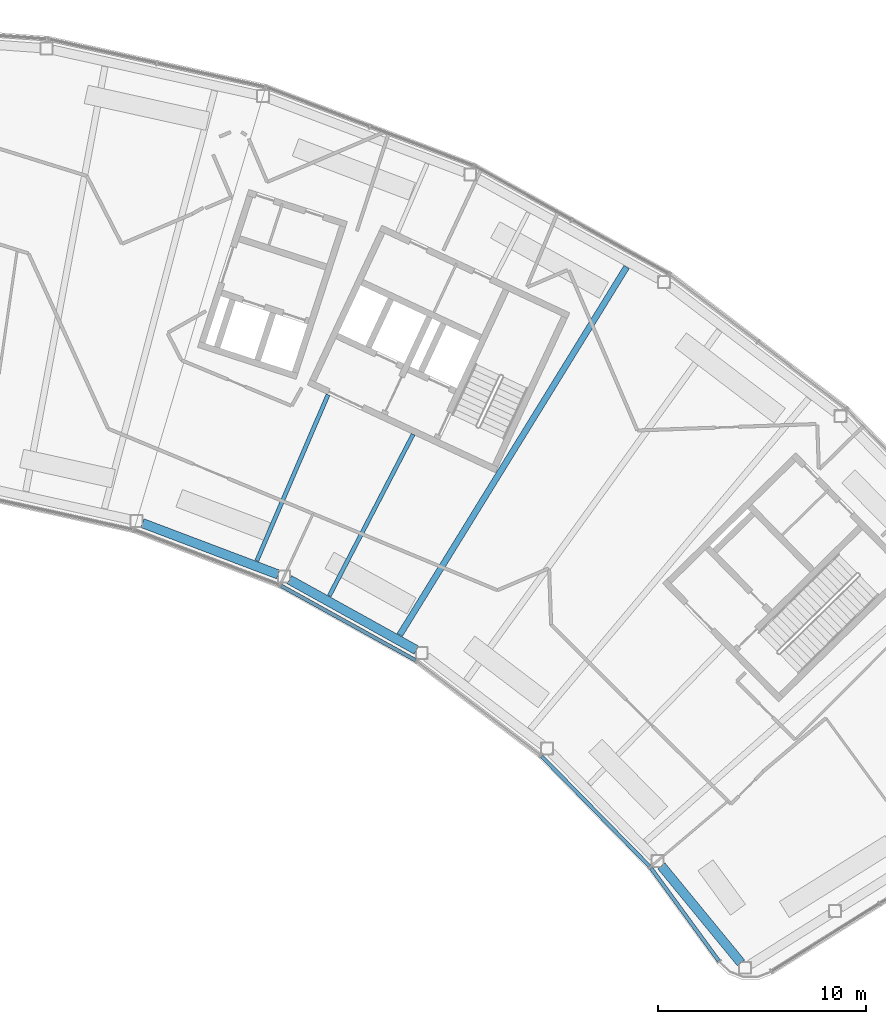
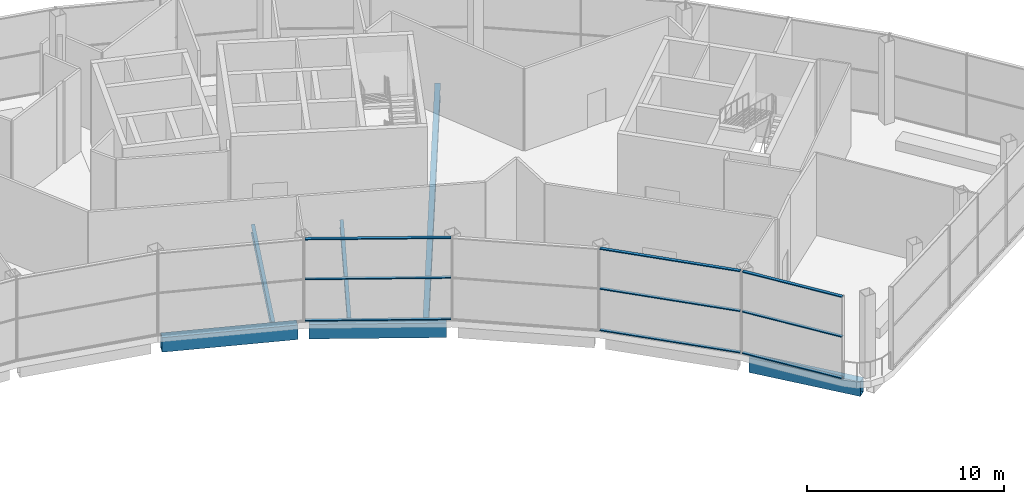
# One storey, part 21 of 43: 9 members, 6 beams, 3 elements without a shape of their own.
"""IFC4 building model written with IfcOpenShell, lengths in metres."""

from ifc_helpers import new_model, si_unit, direction, frame, origin, origin_2d, place, context, subcontext, project, spatial, hollow_rectangle, i_section, extrude, material, layer, layer_set, material_profile, profile_set, type_object, element, aggregate, save


model = new_model("IFC4")

# Units and contexts
model_context = context("Model", 3, precision=1e-05, world=origin(), true_north=direction((0.0, 1.0)))
body_context = subcontext(model_context, "Body", "Model", "MODEL_VIEW")
ifc_project = project(units=[si_unit("LENGTHUNIT", "METRE"), si_unit("AREAUNIT", "SQUARE_METRE"), si_unit("VOLUMEUNIT", "CUBIC_METRE"), si_unit("PLANEANGLEUNIT", "RADIAN"), si_unit("MASSUNIT", "GRAM", prefix="KILO")], contexts=[model_context])

# Site, building, storey
site_placement = place(None, origin())
site = spatial("IfcSite", under=ifc_project, at=site_placement, CompositionType="ELEMENT")
building_placement = place(site_placement, origin())
building = spatial("IfcBuilding", under=site, at=building_placement, Name="Tuul Gate Civic Tower", CompositionType="ELEMENT")
storey_placement = place(building_placement, frame((0.0, 0.0, 349.10009765625)))
storey = spatial("IfcBuildingStorey", under=building, at=storey_placement, Name="Observation level 1", CompositionType="ELEMENT", Elevation=349.10009765625)

# Curtain wall, members
ifc_material_1 = material(Name="Stainless steel", Category="steel")
ifc_layer = layer(ifc_material_1, 0.199951171875)
ifc_layer_set = layer_set([ifc_layer], Name="Stainless steel")
curtain_wall_type = type_object("IfcCurtainWallType", Name="Curtain wall CW4", PredefinedType="NOTDEFINED", material=ifc_layer_set)
curtain_wall_1_placement = place(storey_placement, origin())
curtain_wall_1 = element("IfcCurtainWall", 1, at=curtain_wall_1_placement, inside=storey, type_object=curtain_wall_type, Name="Curtain wall CW4", PredefinedType="NOTDEFINED")
ifc_material_2 = material(Name="Stainless steel", Category="steel")
ifc_material_profile_1 = material_profile(ifc_material_2, hollow_rectangle(XDim=0.179931640625, YDim=0.06005859375, WallThickness=0.006103515625, at=origin_2d()), Name="CW4 transom")
ifc_profile_set_1 = profile_set([ifc_material_profile_1], Name="Stainless steel")
member_type = type_object("IfcMemberType", Name="CW4 transom", PredefinedType="USERDEFINED", material=ifc_profile_set_1)
member_1_placement = place(storey_placement, frame((24.141357421875, -12.833984375, 0.02978515625), z_axis=(0.874627962586, -0.484794726727, 0.0), x_axis=(0.484794726727, 0.874627962586, 0.0)))
member_1 = element("IfcMember", 2, at=member_1_placement, type_object=member_type, Name="Transom", ObjectType="TRANSOM", PredefinedType="USERDEFINED", context=body_context, shape_type="SweptSolid", body=[
    extrude(hollow_rectangle(XDim=0.179931640625, YDim=0.06005859375, WallThickness=0.006103515625, at=origin_2d()), origin(), (0.0, 0.0, 1.0), 7.406982421875),
])
member_2_placement = place(storey_placement, frame((24.141357421875, -12.833984375, 2.599853515625), z_axis=(0.874627962586, -0.484794726727, 0.0), x_axis=(0.484794726727, 0.874627962586, 0.0)))
member_2 = element("IfcMember", 3, at=member_2_placement, type_object=member_type, Name="Transom", ObjectType="TRANSOM", PredefinedType="USERDEFINED", context=body_context, shape_type="SweptSolid", body=[
    extrude(hollow_rectangle(XDim=0.179931640625, YDim=0.06005859375, WallThickness=0.006103515625, at=origin_2d()), origin(), (0.0, 0.0, 1.0), 7.406982421875),
])
member_3_placement = place(storey_placement, frame((24.141357421875, -12.833984375, 5.06982421875), z_axis=(0.874627962586, -0.484794726727, 0.0), x_axis=(0.484794726727, 0.874627962586, 0.0)))
member_3 = element("IfcMember", 4, at=member_3_placement, type_object=member_type, Name="Transom", ObjectType="TRANSOM", PredefinedType="USERDEFINED", context=body_context, shape_type="SweptSolid", body=[
    extrude(hollow_rectangle(XDim=0.179931640625, YDim=0.06005859375, WallThickness=0.006103515625, at=origin_2d()), origin(), (0.0, 0.0, 1.0), 7.406982421875),
])
aggregate(curtain_wall_1, [member_1, member_2, member_3])

curtain_wall_2_placement = place(storey_placement, origin())
curtain_wall_2 = element("IfcCurtainWall", 5, at=curtain_wall_2_placement, inside=storey, type_object=curtain_wall_type, Name="Curtain wall CW4", PredefinedType="NOTDEFINED")
member_4_placement = place(storey_placement, frame((36.701904296875, -21.056884765625, 0.02978515625), z_axis=(0.700100413437, -0.714044404155, 0.0), x_axis=(0.714044404155, 0.700100413437, 0.0)))
member_4 = element("IfcMember", 6, at=member_4_placement, type_object=member_type, Name="Transom", ObjectType="TRANSOM", PredefinedType="USERDEFINED", context=body_context, shape_type="SweptSolid", body=[
    extrude(hollow_rectangle(XDim=0.179931640625, YDim=0.06005859375, WallThickness=0.006103515625, at=origin_2d()), origin(), (0.0, 0.0, 1.0), 7.40625),
])
member_5_placement = place(storey_placement, frame((36.701904296875, -21.056884765625, 2.599853515625), z_axis=(0.700100413437, -0.714044404155, 0.0), x_axis=(0.714044404155, 0.700100413437, 0.0)))
member_5 = element("IfcMember", 7, at=member_5_placement, type_object=member_type, Name="Transom", ObjectType="TRANSOM", PredefinedType="USERDEFINED", context=body_context, shape_type="SweptSolid", body=[
    extrude(hollow_rectangle(XDim=0.179931640625, YDim=0.06005859375, WallThickness=0.006103515625, at=origin_2d()), origin(), (0.0, 0.0, 1.0), 7.40625),
])
member_6_placement = place(storey_placement, frame((36.701904296875, -21.056884765625, 5.06982421875), z_axis=(0.700100413437, -0.714044404155, 0.0), x_axis=(0.714044404155, 0.700100413437, 0.0)))
member_6 = element("IfcMember", 8, at=member_6_placement, type_object=member_type, Name="Transom", ObjectType="TRANSOM", PredefinedType="USERDEFINED", context=body_context, shape_type="SweptSolid", body=[
    extrude(hollow_rectangle(XDim=0.179931640625, YDim=0.06005859375, WallThickness=0.006103515625, at=origin_2d()), origin(), (0.0, 0.0, 1.0), 7.40625),
])
aggregate(curtain_wall_2, [member_4, member_5, member_6])

curtain_wall_3_placement = place(storey_placement, origin())
curtain_wall_3 = element("IfcCurtainWall", 9, at=curtain_wall_3_placement, inside=storey, type_object=curtain_wall_type, Name="Curtain wall CW4", PredefinedType="NOTDEFINED")
member_7_placement = place(storey_placement, frame((41.96435546875, -26.4365234375, 0.02978515625), z_axis=(0.589738969, -0.807593925462, 0.0), x_axis=(0.807593925462, 0.589738969, 0.0)))
member_7 = element("IfcMember", 10, at=member_7_placement, type_object=member_type, Name="Transom", ObjectType="TRANSOM", PredefinedType="USERDEFINED", context=body_context, shape_type="SweptSolid", body=[
    extrude(hollow_rectangle(XDim=0.179931640625, YDim=0.06005859375, WallThickness=0.006103515625, at=origin_2d()), origin(), (0.0, 0.0, 1.0), 5.534912109375),
])
member_8_placement = place(storey_placement, frame((41.96435546875, -26.4365234375, 2.599853515625), z_axis=(0.589738969, -0.807593925462, 0.0), x_axis=(0.807593925462, 0.589738969, 0.0)))
member_8 = element("IfcMember", 11, at=member_8_placement, type_object=member_type, Name="Transom", ObjectType="TRANSOM", PredefinedType="USERDEFINED", context=body_context, shape_type="SweptSolid", body=[
    extrude(hollow_rectangle(XDim=0.179931640625, YDim=0.06005859375, WallThickness=0.006103515625, at=origin_2d()), origin(), (0.0, 0.0, 1.0), 5.534912109375),
])
member_9_placement = place(storey_placement, frame((41.96435546875, -26.4365234375, 5.06982421875), z_axis=(0.589738969, -0.807593925462, 0.0), x_axis=(0.807593925462, 0.589738969, 0.0)))
member_9 = element("IfcMember", 12, at=member_9_placement, type_object=member_type, Name="Transom", ObjectType="TRANSOM", PredefinedType="USERDEFINED", context=body_context, shape_type="SweptSolid", body=[
    extrude(hollow_rectangle(XDim=0.179931640625, YDim=0.06005859375, WallThickness=0.006103515625, at=origin_2d()), origin(), (0.0, 0.0, 1.0), 5.534912109375),
])
aggregate(curtain_wall_3, [member_7, member_8, member_9])

# Beams
ifc_material_3 = material(Name="Steel S355", Category="steel")
ifc_material_profile_2 = material_profile(ifc_material_3, i_section(OverallWidth=0.199951171875, OverallDepth=0.5, WebThickness=0.010009765625, FlangeThickness=0.01611328125, at=origin_2d()), Name="PG500x200x10x16")
ifc_profile_set_2 = profile_set([ifc_material_profile_2], Name="Steel S355")
beam_type_1 = type_object("IfcBeamType", Name="STR-FLOOR BEAM-PG500x200x10x16", PredefinedType="BEAM", material=ifc_profile_set_2)
beam_1_placement = place(storey_placement, frame((26.463134765625, -13.32080078125, -0.650146484375), z_axis=(0.460782795667, 0.887512938056, 0.0), x_axis=(-0.887512938056, 0.460782795667, 0.0)))
element("IfcBeam", 13, at=beam_1_placement, inside=storey, type_object=beam_type_1, Name="Floor beam", PredefinedType="BEAM", context=body_context, shape_type="SweptSolid", body=[
    extrude(i_section(OverallWidth=0.199951171875, OverallDepth=0.5, WebThickness=0.010009765625, FlangeThickness=0.01611328125, at=origin_2d()), origin(), (0.0, 0.0, 1.0), 8.768310546875),
])
beam_2_placement = place(storey_placement, frame((22.968505859375, -11.633056640625, -0.650146484375), z_axis=(0.394179708817, 0.91903338196, 0.0), x_axis=(-0.91903338196, 0.394179708817, 0.0)))
element("IfcBeam", 14, at=beam_2_placement, inside=storey, type_object=beam_type_1, Name="Floor beam", PredefinedType="BEAM", context=body_context, shape_type="SweptSolid", body=[
    extrude(i_section(OverallWidth=0.199951171875, OverallDepth=0.5, WebThickness=0.010009765625, FlangeThickness=0.01611328125, at=origin_2d()), origin(), (0.0, 0.0, 1.0), 8.7119140625),
])
ifc_material_4 = material(Name="Steel S355", Category="steel")
ifc_material_profile_3 = material_profile(ifc_material_4, i_section(OverallWidth=0.300048828125, OverallDepth=0.800048828125, WebThickness=0.013916015625, FlangeThickness=0.02490234375, at=origin_2d()), Name="PG800x300x14x25")
ifc_profile_set_3 = profile_set([ifc_material_profile_3], Name="Steel S355")
beam_type_2 = type_object("IfcBeamType", Name="STR-FLOOR BEAM-PG800x300x14x25", PredefinedType="BEAM", material=ifc_profile_set_3)
beam_3_placement = place(storey_placement, frame((29.858154296875, -15.2021484375, -0.800048828125), z_axis=(0.524846935925, 0.85119662467, 0.0), x_axis=(-0.85119662467, 0.524846935925, 0.0)))
element("IfcBeam", 15, at=beam_3_placement, inside=storey, type_object=beam_type_2, Name="Floor beam", PredefinedType="BEAM", context=body_context, shape_type="SweptSolid", body=[
    extrude(i_section(OverallWidth=0.300048828125, OverallDepth=0.800048828125, WebThickness=0.013916015625, FlangeThickness=0.02490234375, at=origin_2d()), origin(), (0.0, 0.0, 1.0), 20.82177734375),
])
ifc_material_5 = material(Name="Steel S355", Category="steel")
ifc_material_profile_4 = material_profile(ifc_material_5, hollow_rectangle(XDim=0.449951171875, YDim=0.89990234375, WallThickness=0.02490234375, at=origin_2d()), Name="BOX900x450x25")
ifc_profile_set_4 = profile_set([ifc_material_profile_4], Name="Steel S355")
beam_type_3 = type_object("IfcBeamType", Name="STR-SPANDREL BEAM-BOX900x450x25", PredefinedType="BEAM", material=ifc_profile_set_4)
beam_4_placement = place(storey_placement, frame((17.45849609375, -9.816162109375, -0.85009765625), z_axis=(0.93532810698, -0.35378147534, 0.0), x_axis=(0.35378147534, 0.93532810698, 0.0)))
element("IfcBeam", 16, at=beam_4_placement, inside=storey, type_object=beam_type_3, Name="Spandrel beam", PredefinedType="BEAM", context=body_context, shape_type="SweptSolid", body=[
    extrude(hollow_rectangle(XDim=0.449951171875, YDim=0.89990234375, WallThickness=0.02490234375, at=origin_2d()), origin(), (0.0, 0.0, 1.0), 6.991943359375),
])
beam_5_placement = place(storey_placement, frame((24.54150390625, -12.54150390625, -0.85009765625), z_axis=(0.874646044716, -0.484762102956, 0.0), x_axis=(0.484762102956, 0.874646044716, 0.0)))
element("IfcBeam", 17, at=beam_5_placement, inside=storey, type_object=beam_type_3, Name="Spandrel beam", PredefinedType="BEAM", context=body_context, shape_type="SweptSolid", body=[
    extrude(hollow_rectangle(XDim=0.449951171875, YDim=0.89990234375, WallThickness=0.02490234375, at=origin_2d()), origin(), (0.0, 0.0, 1.0), 6.991455078125),
])
beam_6_placement = place(storey_placement, frame((42.46337890625, -26.328857421875, -0.85009765625), z_axis=(0.63439697252, -0.773007426392, 0.0), x_axis=(0.773007426392, 0.63439697252, 0.0)))
element("IfcBeam", 18, at=beam_6_placement, inside=storey, type_object=beam_type_3, Name="Spandrel beam", PredefinedType="BEAM", context=body_context, shape_type="SweptSolid", body=[
    extrude(hollow_rectangle(XDim=0.449951171875, YDim=0.89990234375, WallThickness=0.02490234375, at=origin_2d()), origin(), (0.0, 0.0, 1.0), 6.052001953125),
])

save(model, "model.ifc")
